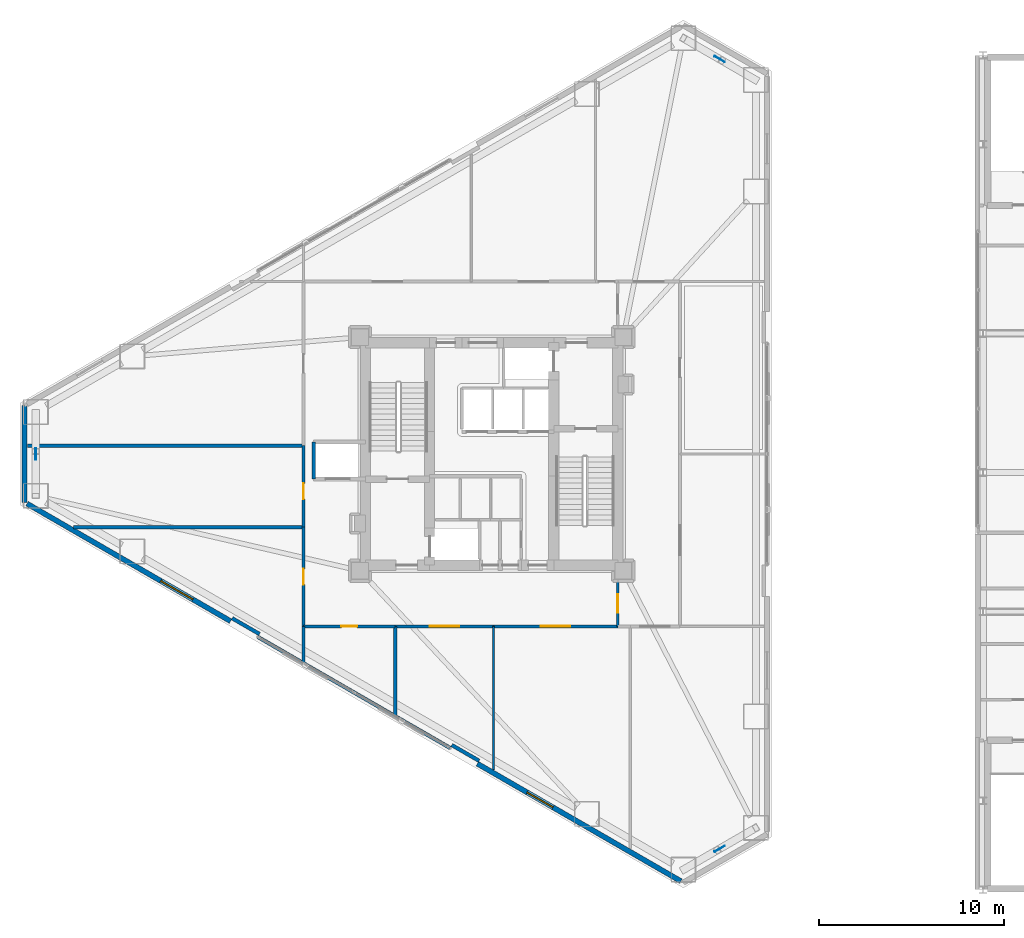
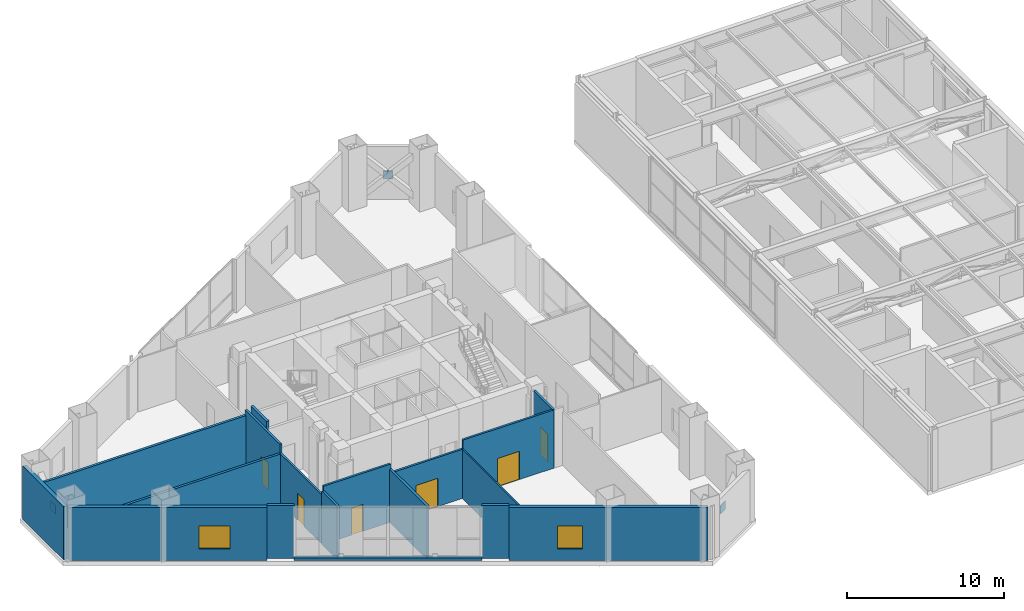
# One storey, part 20 of 27: 18 walls, 6 doors, 3 plates, 2 windows, 8 openings.
"""IFC4 building model written with IfcOpenShell, lengths in metres."""

from ifc_helpers import new_model, si_unit, direction, frame, frame_2d, origin, origin_2d, place, context, subcontext, project, spatial, rectangle, extrude, material, layer, layer_set, type_object, element, fill, save


model = new_model("IFC4")

# Units and contexts
model_context = context("Model", 3, precision=1e-05, world=origin(), true_north=direction((0.0, 1.0)))
body_context = subcontext(model_context, "Body", "Model", "MODEL_VIEW")
ifc_project = project(units=[si_unit("LENGTHUNIT", "METRE"), si_unit("AREAUNIT", "SQUARE_METRE"), si_unit("VOLUMEUNIT", "CUBIC_METRE"), si_unit("PLANEANGLEUNIT", "RADIAN"), si_unit("MASSUNIT", "GRAM", prefix="KILO")], contexts=[model_context])

# Site, building, storey
site_placement = place(None, origin())
site = spatial("IfcSite", under=ifc_project, at=site_placement, CompositionType="ELEMENT")
building_placement = place(site_placement, origin())
building = spatial("IfcBuilding", under=site, at=building_placement, Name="Mersakhor Tower and Convention Hall", CompositionType="ELEMENT")
storey_placement = place(building_placement, frame((0.0, 0.0, 14.39990234375)))
storey = spatial("IfcBuildingStorey", under=building, at=storey_placement, Name="L03", CompositionType="ELEMENT", Elevation=14.39990234375)

# Plates
ifc_material_1 = material(Name="Steel S460", Category="steel")
ifc_layer_1 = layer(ifc_material_1, 0.0400390625)
ifc_layer_set_1 = layer_set([ifc_layer_1], Name="Steel S460")
plate_type = type_object("IfcPlateType", Name="PL-GUSSET-40", PredefinedType="SHEET", material=ifc_layer_set_1)
for number, where, z_axis, x_axis, name in (
    (1, (41.29345703125, 48.04296875, 1.93994140625), (0.0, 0.0, 1.0), (-0.866025403784, 0.5, 0.0), "L03 X-Brace Crossing Gusset Node Plate"),
    (2, (41.29345703125, 5.45703125, 1.93994140625), (0.0, 0.0, 1.0), (0.866025403784, 0.5, 0.0), "L03 X-Brace Crossing Gusset Node Plate"),
    (3, (4.4130859375, 26.75, 1.93994140625), (0.0, 0.0, 1.0), (0.0, -1.0, 0.0), "L03 X-Brace Crossing Gusset Node Plate"),
):
    element("IfcPlate", number, at=place(storey_placement, frame(where, z_axis=z_axis, x_axis=x_axis)), inside=storey, type_object=plate_type, Name=name, PredefinedType="SHEET", context=body_context, shape_type="SweptSolid", body=[
        extrude(rectangle(XDim=0.639892578125, YDim=0.0400390625, at=origin_2d()), origin(), (0.0, 0.0, 1.0), 0.639892578125),
    ])

# Wall
ifc_material_2 = material(Name="Precast concrete C45/55", Category="concrete")
ifc_layer_2 = layer(ifc_material_2, 0.27490234375)
ifc_layer_set_2 = layer_set([ifc_layer_2], Name="Precast concrete C45/55")
wall_type_1 = type_object("IfcWallType", Name="WL-EXT-275", PredefinedType="SOLIDWALL", material=ifc_layer_set_2)
wall_1_placement = place(storey_placement, frame((3.81298828125, 24.144287109375, 0.0), z_axis=(0.0, 0.0, 1.0), x_axis=(0.0, 1.0, 0.0)))
element("IfcWall", 4, at=wall_1_placement, inside=storey, type_object=wall_type_1, Name="L03 Chamfer Braced Spandrel Wall C3", PredefinedType="SOLIDWALL", context=body_context, shape_type="SweptSolid", body=[
    extrude(rectangle(XDim=5.21142578125, YDim=0.27490234375, at=frame_2d((2.605712890625, 0.0))), origin(), (0.0, 0.0, 1.0), 4.14013671875),
])

# Wall, opening, window
wall_2_placement = place(storey_placement, frame((39.20703125, 3.709716796875, 0.0), z_axis=(0.0, 0.0, 1.0), x_axis=(-0.86603192154, 0.499988710747, 0.0)))
wall_2 = element("IfcWall", 5, at=wall_2_placement, inside=storey, type_object=wall_type_1, Name="L03 Exterior Facade Wall F3-B1", PredefinedType="SOLIDWALL", context=body_context, shape_type="SweptSolid", body=[
    extrude(rectangle(XDim=12.673095703125, YDim=0.27490234375, at=frame_2d((6.33642578125, 0.0))), origin(), (0.0, 0.0, 1.0), 4.14013671875),
])
opening_1_placement = place(wall_2_placement, frame((7.972900390625, 0.0, 0.89990234375)))
opening_1 = element("IfcOpeningElement", 6, at=opening_1_placement, cuts=wall_2, Name="Opening W-07", PredefinedType="OPENING", context=body_context, shape_type="SweptSolid", body=[
    extrude(rectangle(XDim=1.60009765625, YDim=1.800048828125, at=frame_2d((0.800048828125, 0.89990234375))), frame((0.0, 0.1474609375, 0.0), z_axis=(0.0, -1.0, 0.0), x_axis=(1.0, 0.0, 0.0)), (0.0, 0.0, 1.0), 0.294921875),
])
ifc_material_3 = material(Name="Dark solar low-E glazed aluminium window", Category="aluminium")
window_type_1 = type_object("IfcWindowType", Name="WN-CLN-160x180", PartitioningType="SINGLE_PANEL", PredefinedType="WINDOW", material=ifc_material_3)
window_1_placement = place(opening_1_placement, origin())
window_1 = element("IfcWindow", 7, at=window_1_placement, inside=storey, type_object=window_type_1, Name="L03 Facade Punched Window F3-B1", OverallHeight=1.800048828125, OverallWidth=1.60009765625, PartitioningType="SINGLE_PANEL", PredefinedType="WINDOW", context=body_context, shape_type="SweptSolid", body=[
    extrude(rectangle(XDim=1.60009765625, YDim=1.800048828125, at=frame_2d((0.800048828125, 0.89990234375))), frame((0.0, 0.030029296875, 0.0), z_axis=(0.0, -1.0, 0.0), x_axis=(1.0, 0.0, 0.0)), (0.0, 0.0, 1.0), 0.06005859375),
])
fill(opening_1, window_1)

wall_3_placement = place(storey_placement, frame((14.918212890625, 17.73291015625, 0.0), z_axis=(0.0, 0.0, 1.0), x_axis=(-0.866027105532, 0.499997052475, 0.0)))
wall_3 = element("IfcWall", 8, at=wall_3_placement, inside=storey, type_object=wall_type_1, Name="L03 Exterior Facade Wall F3-B3", PredefinedType="SOLIDWALL", context=body_context, shape_type="SweptSolid", body=[
    extrude(rectangle(XDim=12.6728515625, YDim=0.27490234375, at=frame_2d((6.33642578125, 0.0))), origin(), (0.0, 0.0, 1.0), 4.14013671875),
])
opening_2_placement = place(wall_3_placement, frame((2.347900390625, 0.0, 0.89990234375)))
opening_2 = element("IfcOpeningElement", 9, at=opening_2_placement, cuts=wall_3, Name="Opening W-08", PredefinedType="OPENING", context=body_context, shape_type="SweptSolid", body=[
    extrude(rectangle(XDim=2.0, YDim=1.800048828125, at=frame_2d((1.0, 0.89990234375))), frame((0.0, 0.1474609375, 0.0), z_axis=(0.0, -1.0, 0.0), x_axis=(1.0, 0.0, 0.0)), (0.0, 0.0, 1.0), 0.294921875),
])
ifc_material_4 = material(Name="Dark solar low-E glazed aluminium window", Category="aluminium")
window_type_2 = type_object("IfcWindowType", Name="WN-CLN-200x180", PartitioningType="SINGLE_PANEL", PredefinedType="WINDOW", material=ifc_material_4)
window_2_placement = place(opening_2_placement, origin())
window_2 = element("IfcWindow", 10, at=window_2_placement, inside=storey, type_object=window_type_2, Name="L03 Facade Punched Window F3-B3", OverallHeight=1.800048828125, OverallWidth=2.0, PartitioningType="SINGLE_PANEL", PredefinedType="WINDOW", context=body_context, shape_type="SweptSolid", body=[
    extrude(rectangle(XDim=2.0, YDim=1.800048828125, at=frame_2d((1.0, 0.89990234375))), frame((0.0, 0.030029296875, 0.0), z_axis=(0.0, -1.0, 0.0), x_axis=(1.0, 0.0, 0.0)), (0.0, 0.0, 1.0), 0.06005859375),
])
fill(opening_2, window_2)

# Walls
ifc_material_5 = material(Name="Precast concrete C40/50", Category="concrete")
ifc_layer_3 = layer(ifc_material_5, 0.199951171875)
ifc_layer_set_3 = layer_set([ifc_layer_3], Name="Precast concrete C40/50")
wall_type_2 = type_object("IfcWallType", Name="WL-PAR-200", PredefinedType="PARAPET", material=ifc_layer_set_3)
wall_4_placement = place(storey_placement, frame((26.759521484375, 10.896240234375, 0.0), z_axis=(0.0, 0.0, 1.0), x_axis=(-0.866027351828, 0.499996625875, 0.0)))
element("IfcWall", 11, at=wall_4_placement, inside=storey, type_object=wall_type_2, Name="L03 Curtain Wall Upstand Sill F3-B2", PredefinedType="PARAPET", context=body_context, shape_type="SweptSolid", body=[
    extrude(rectangle(XDim=11.97314453125, YDim=0.199951171875, at=frame_2d((5.986572265625, 0.0))), origin(), (0.0, 0.0, 1.0), 0.2001953125),
])
for number, where, z_axis, x_axis, name in (
    (12, (28.32177734375, 10.2021484375, 0.0), (0.0, 0.0, 1.0), (-0.86605165483, 0.499954529098, 0.0), "L03 Column Pier Cladding Wall F3-C1"),
    (13, (16.48046875, 17.038818359375, 0.0), (0.0, 0.0, 1.0), (-0.86605165483, 0.499954529098, 0.0), "L03 Column Pier Cladding Wall F3-C2"),
):
    element("IfcWall", number, at=place(storey_placement, frame(where, z_axis=z_axis, x_axis=x_axis)), inside=storey, type_object=wall_type_2, Name=name, PredefinedType="PARAPET", context=body_context, shape_type="SweptSolid", body=[
        extrude(rectangle(XDim=1.699951171875, YDim=0.199951171875, at=frame_2d((0.85009765625, 0.0))), origin(), (0.0, 0.0, 1.0), 4.14013671875),
    ])
ifc_material_6 = material(Name="Moisture-resistant acoustic drywall studwork", Category="other")
ifc_layer_4 = layer(ifc_material_6, 0.175048828125)
ifc_layer_set_4 = layer_set([ifc_layer_4], Name="Moisture-resistant acoustic drywall studwork")
wall_type_3 = type_object("IfcWallType", Name="WL-PLM-175", PredefinedType="PLUMBINGWALL", material=ifc_layer_set_4)
wall_5_placement = place(storey_placement, frame((23.800048828125, 17.449951171875, 0.0), z_axis=(0.0, 0.0, 1.0), x_axis=(0.0, -1.0, 0.0)))
element("IfcWall", 14, at=wall_5_placement, inside=storey, type_object=wall_type_3, Name="L03 Interior Partition Wall P-079", PredefinedType="PLUMBINGWALL", context=body_context, shape_type="SweptSolid", body=[
    extrude(rectangle(XDim=4.798828125, YDim=0.175048828125, at=frame_2d((2.3994140625, 0.0))), origin(), (0.0, 0.0, 1.0), 4.130615234375),
])
wall_6_placement = place(storey_placement, frame((18.85009765625, 15.509033203125, 0.0), z_axis=(0.0, 0.0, 1.0), x_axis=(0.0, 1.0, 0.0)))
element("IfcWall", 15, at=wall_6_placement, inside=storey, type_object=wall_type_3, Name="L03 Interior Partition Wall P-080", PredefinedType="PLUMBINGWALL", context=body_context, shape_type="SweptSolid", body=[
    extrude(rectangle(XDim=1.94091796875, YDim=0.175048828125, at=frame_2d((0.970458984375, 0.0))), origin(), (0.0, 0.0, 1.0), 4.130615234375),
])
wall_7_placement = place(storey_placement, frame((6.43505859375, 22.800048828125, 0.0), z_axis=(0.0, 0.0, 1.0), x_axis=(1.0, 0.0, 0.0)))
element("IfcWall", 16, at=wall_7_placement, inside=storey, type_object=wall_type_3, Name="L03 Interior Partition Wall P-081", PredefinedType="PLUMBINGWALL", context=body_context, shape_type="SweptSolid", body=[
    extrude(rectangle(XDim=12.4150390625, YDim=0.175048828125, at=frame_2d((6.20751953125, 0.0))), origin(), (0.0, 0.0, 1.0), 3.817626953125),
])
wall_8_placement = place(storey_placement, frame((3.974609375, 27.199951171875, 0.0), z_axis=(0.0, 0.0, 1.0), x_axis=(1.0, 0.0, 0.0)))
element("IfcWall", 17, at=wall_8_placement, inside=storey, type_object=wall_type_3, Name="L03 Interior Partition Wall P-082", PredefinedType="PLUMBINGWALL", context=body_context, shape_type="SweptSolid", body=[
    extrude(rectangle(XDim=14.87548828125, YDim=0.175048828125, at=frame_2d((7.437744140625, 0.0))), origin(), (0.0, 0.0, 1.0), 4.130615234375),
])
ifc_material_7 = material(Name="Lightweight gypsum partition", Category="other")
ifc_layer_5 = layer(ifc_material_7, 0.10009765625)
ifc_layer_set_5 = layer_set([ifc_layer_5], Name="Lightweight gypsum partition")
wall_type_4 = type_object("IfcWallType", Name="WL-PRT-100", PredefinedType="PARTITIONING", material=ifc_layer_set_5)
wall_9_placement = place(storey_placement, frame((29.10009765625, 9.7314453125, 0.0), z_axis=(0.0, 0.0, 1.0), x_axis=(0.0, 1.0, 0.0)))
element("IfcWall", 18, at=wall_9_placement, inside=storey, type_object=wall_type_4, Name="L03 Interior Partition Wall P-100", PredefinedType="PARTITIONING", context=body_context, shape_type="SweptSolid", body=[
    extrude(rectangle(XDim=7.718505859375, YDim=0.10009765625, at=frame_2d((3.859375, 0.0))), origin(), (0.0, 0.0, 1.0), 3.817626953125),
])

# Wall, opening, door
ifc_material_8 = material(Name="Fire-rated gypsum board stud partition", Category="other")
ifc_layer_6 = layer(ifc_material_8, 0.14990234375)
ifc_layer_set_6 = layer_set([ifc_layer_6], Name="Fire-rated gypsum board stud partition")
wall_type_5 = type_object("IfcWallType", Name="WL-PRT-150", PredefinedType="PARTITIONING", material=ifc_layer_set_6)
wall_10_placement = place(storey_placement, frame((35.800048828125, 19.89990234375, 0.0), z_axis=(0.0, 0.0, 1.0), x_axis=(0.0, -1.0, 0.0)))
wall_10 = element("IfcWall", 19, at=wall_10_placement, inside=storey, type_object=wall_type_5, Name="L03 Interior Partition Wall P-042", PredefinedType="PARTITIONING", context=body_context, shape_type="SweptSolid", body=[
    extrude(rectangle(XDim=2.449951171875, YDim=0.14990234375, at=frame_2d((1.22509765625, 0.0))), origin(), (0.0, 0.0, 1.0), 4.52001953125),
])
opening_3_placement = place(wall_10_placement, frame((0.72509765625, 0.0, 0.0)))
opening_3 = element("IfcOpeningElement", 20, at=opening_3_placement, cuts=wall_10, Name="Opening FD-01", PredefinedType="OPENING", context=body_context, shape_type="SweptSolid", body=[
    extrude(rectangle(XDim=1.0, YDim=2.14990234375, at=frame_2d((0.5, 1.074951171875))), frame((0.0, 0.0849609375, 0.0), z_axis=(0.0, -1.0, 0.0), x_axis=(1.0, 0.0, 0.0)), (0.0, 0.0, 1.0), 0.169921875),
])
ifc_material_9 = material(Name="Fire-rated hardwood leaf and painted steel frame", Category="steel")
door_type_1 = type_object("IfcDoorType", Name="DR-INT-FLT-100x215", OperationType="NOTDEFINED", PredefinedType="DOOR", material=ifc_material_9)
door_1_placement = place(opening_3_placement, origin())
door_1 = element("IfcDoor", 21, at=door_1_placement, inside=storey, type_object=door_type_1, Name="L03 Ring Corridor Fire Door", OperationType="SINGLE_SWING_LEFT", OverallHeight=2.14990234375, OverallWidth=1.0, PredefinedType="DOOR", context=body_context, shape_type="SweptSolid", body=[
    extrude(rectangle(XDim=1.0, YDim=2.14990234375, at=frame_2d((0.5, 1.074951171875))), frame((0.0, 0.02490234375, 0.0), z_axis=(0.0, -1.0, 0.0), x_axis=(1.0, 0.0, 0.0)), (0.0, 0.0, 1.0), 0.050048828125),
])
fill(opening_3, door_1)

wall_11_placement = place(storey_placement, frame((35.800048828125, 17.449951171875, 0.0), z_axis=(0.0, 0.0, 1.0), x_axis=(-1.0, 0.0, 0.0)))
wall_11 = element("IfcWall", 22, at=wall_11_placement, inside=storey, type_object=wall_type_5, Name="L03 Interior Partition Wall P-043", PredefinedType="PARTITIONING", context=body_context, shape_type="SweptSolid", body=[
    extrude(rectangle(XDim=6.699951171875, YDim=0.14990234375, at=frame_2d((3.35009765625, 0.0))), origin(), (0.0, 0.0, 1.0), 4.52001953125),
])
opening_4_placement = place(wall_11_placement, frame((2.550048828125, 0.0, 0.0)))
opening_4 = element("IfcOpeningElement", 23, at=opening_4_placement, cuts=wall_11, Name="Opening CD-01", PredefinedType="OPENING", context=body_context, shape_type="SweptSolid", body=[
    extrude(rectangle(XDim=1.60009765625, YDim=2.199951171875, at=frame_2d((0.800048828125, 1.10009765625))), frame((0.0, 0.0849609375, 0.0), z_axis=(0.0, -1.0, 0.0), x_axis=(1.0, 0.0, 0.0)), (0.0, 0.0, 1.0), 0.169921875),
])
ifc_material_10 = material(Name="Fire-rated hardwood leaf and painted steel frame", Category="steel")
door_type_2 = type_object("IfcDoorType", Name="DR-INT-COR-160x220", OperationType="NOTDEFINED", PredefinedType="DOOR", material=ifc_material_10)
door_2_placement = place(opening_4_placement, origin())
door_2 = element("IfcDoor", 24, at=door_2_placement, inside=storey, type_object=door_type_2, Name="L03 L03 Primary Healthcare Clinical Corridor to Phlebotomy and Triage Room Door", OperationType="DOUBLE_DOOR_SINGLE_SWING", OverallHeight=2.199951171875, OverallWidth=1.60009765625, PredefinedType="DOOR", context=body_context, shape_type="SweptSolid", body=[
    extrude(rectangle(XDim=1.60009765625, YDim=2.199951171875, at=frame_2d((0.800048828125, 1.10009765625))), frame((0.0, 0.02490234375, 0.0), z_axis=(0.0, -1.0, 0.0), x_axis=(1.0, 0.0, 0.0)), (0.0, 0.0, 1.0), 0.050048828125),
])
fill(opening_4, door_2)

wall_12_placement = place(storey_placement, frame((29.10009765625, 17.449951171875, 0.0), z_axis=(0.0, 0.0, 1.0), x_axis=(-1.0, 0.0, 0.0)))
wall_12 = element("IfcWall", 25, at=wall_12_placement, inside=storey, type_object=wall_type_5, Name="L03 Interior Partition Wall P-044", PredefinedType="PARTITIONING", context=body_context, shape_type="SweptSolid", body=[
    extrude(rectangle(XDim=5.300048828125, YDim=0.14990234375, at=frame_2d((2.64990234375, 0.0))), origin(), (0.0, 0.0, 1.0), 3.817626953125),
])
opening_5_placement = place(wall_12_placement, frame((1.85009765625, 0.0, 0.0)))
opening_5 = element("IfcOpeningElement", 26, at=opening_5_placement, cuts=wall_12, Name="Opening CD-01", PredefinedType="OPENING", context=body_context, shape_type="SweptSolid", body=[
    extrude(rectangle(XDim=1.60009765625, YDim=2.199951171875, at=frame_2d((0.800048828125, 1.10009765625))), frame((0.0, 0.0849609375, 0.0), z_axis=(0.0, -1.0, 0.0), x_axis=(1.0, 0.0, 0.0)), (0.0, 0.0, 1.0), 0.169921875),
])
door_3_placement = place(opening_5_placement, origin())
door_3 = element("IfcDoor", 27, at=door_3_placement, inside=storey, type_object=door_type_2, Name="L03 L03 Primary Healthcare Clinical Corridor to Vaccination and Nursing Room Door", OperationType="DOUBLE_DOOR_SINGLE_SWING", OverallHeight=2.199951171875, OverallWidth=1.60009765625, PredefinedType="DOOR", context=body_context, shape_type="SweptSolid", body=[
    extrude(rectangle(XDim=1.60009765625, YDim=2.199951171875, at=frame_2d((0.800048828125, 1.10009765625))), frame((0.0, 0.02490234375, 0.0), z_axis=(0.0, -1.0, 0.0), x_axis=(1.0, 0.0, 0.0)), (0.0, 0.0, 1.0), 0.050048828125),
])
fill(opening_5, door_3)

wall_13_placement = place(storey_placement, frame((23.800048828125, 17.449951171875, 0.0), z_axis=(0.0, 0.0, 1.0), x_axis=(-1.0, 0.0, 0.0)))
wall_13 = element("IfcWall", 28, at=wall_13_placement, inside=storey, type_object=wall_type_5, Name="L03 Interior Partition Wall P-045", PredefinedType="PARTITIONING", context=body_context, shape_type="SweptSolid", body=[
    extrude(rectangle(XDim=4.949951171875, YDim=0.14990234375, at=frame_2d((2.47509765625, 0.0))), origin(), (0.0, 0.0, 1.0), 4.52001953125),
])
opening_6_placement = place(wall_13_placement, frame((2.050048828125, 0.0, 0.0)))
opening_6 = element("IfcOpeningElement", 29, at=opening_6_placement, cuts=wall_13, Name="Opening SVD-01", PredefinedType="OPENING", context=body_context, shape_type="SweptSolid", body=[
    extrude(rectangle(XDim=0.85009765625, YDim=2.10009765625, at=frame_2d((0.425048828125, 1.050048828125))), frame((0.0, 0.0849609375, 0.0), z_axis=(0.0, -1.0, 0.0), x_axis=(1.0, 0.0, 0.0)), (0.0, 0.0, 1.0), 0.169921875),
])
ifc_material_11 = material(Name="Fire-rated hardwood leaf and painted steel frame", Category="steel")
door_type_3 = type_object("IfcDoorType", Name="DR-INT-SVC-085x210", OperationType="NOTDEFINED", PredefinedType="DOOR", material=ifc_material_11)
door_4_placement = place(opening_6_placement, origin())
door_4 = element("IfcDoor", 30, at=door_4_placement, inside=storey, type_object=door_type_3, Name="L03 L03 Primary Healthcare Clinical Corridor to Clinic Public Male Toilets Door", OperationType="SINGLE_SWING_LEFT", OverallHeight=2.10009765625, OverallWidth=0.85009765625, PredefinedType="DOOR", context=body_context, shape_type="SweptSolid", body=[
    extrude(rectangle(XDim=0.85009765625, YDim=2.10009765625, at=frame_2d((0.425048828125, 1.050048828125))), frame((0.0, 0.02490234375, 0.0), z_axis=(0.0, -1.0, 0.0), x_axis=(1.0, 0.0, 0.0)), (0.0, 0.0, 1.0), 0.050048828125),
])
fill(opening_6, door_4)

wall_14_placement = place(storey_placement, frame((18.85009765625, 17.449951171875, 0.0), z_axis=(0.0, 0.0, 1.0), x_axis=(0.0, 1.0, 0.0)))
wall_14 = element("IfcWall", 31, at=wall_14_placement, inside=storey, type_object=wall_type_5, Name="L03 Interior Partition Wall P-046", PredefinedType="PARTITIONING", context=body_context, shape_type="SweptSolid", body=[
    extrude(rectangle(XDim=5.35009765625, YDim=0.14990234375, at=frame_2d((2.675048828125, 0.0))), origin(), (0.0, 0.0, 1.0), 3.817626953125),
])
opening_7_placement = place(wall_14_placement, frame((2.25, 0.0, 0.0)))
opening_7 = element("IfcOpeningElement", 32, at=opening_7_placement, cuts=wall_14, Name="Opening SVD-01", PredefinedType="OPENING", context=body_context, shape_type="SweptSolid", body=[
    extrude(rectangle(XDim=0.85009765625, YDim=2.10009765625, at=frame_2d((0.425048828125, 1.050048828125))), frame((0.0, 0.0849609375, 0.0), z_axis=(0.0, -1.0, 0.0), x_axis=(1.0, 0.0, 0.0)), (0.0, 0.0, 1.0), 0.169921875),
])
door_5_placement = place(opening_7_placement, origin())
door_5 = element("IfcDoor", 33, at=door_5_placement, inside=storey, type_object=door_type_3, Name="L03 L03 Primary Healthcare Clinical Corridor to Clinic Public Female Toilets Door", OperationType="SINGLE_SWING_RIGHT", OverallHeight=2.10009765625, OverallWidth=0.85009765625, PredefinedType="DOOR", context=body_context, shape_type="SweptSolid", body=[
    extrude(rectangle(XDim=0.85009765625, YDim=2.10009765625, at=frame_2d((0.425048828125, 1.050048828125))), frame((0.0, 0.02490234375, 0.0), z_axis=(0.0, -1.0, 0.0), x_axis=(1.0, 0.0, 0.0)), (0.0, 0.0, 1.0), 0.050048828125),
])
fill(opening_7, door_5)

wall_15_placement = place(storey_placement, frame((18.85009765625, 22.800048828125, 0.0), z_axis=(0.0, 0.0, 1.0), x_axis=(0.0, 1.0, 0.0)))
wall_15 = element("IfcWall", 34, at=wall_15_placement, inside=storey, type_object=wall_type_5, Name="L03 Interior Partition Wall P-047", PredefinedType="PARTITIONING", context=body_context, shape_type="SweptSolid", body=[
    extrude(rectangle(XDim=4.39990234375, YDim=0.14990234375, at=frame_2d((2.199951171875, 0.0))), origin(), (0.0, 0.0, 1.0), 4.52001953125),
])
opening_8_placement = place(wall_15_placement, frame((1.520751953125, 0.0, 0.0)))
opening_8 = element("IfcOpeningElement", 35, at=opening_8_placement, cuts=wall_15, Name="Opening SVD-01", PredefinedType="OPENING", context=body_context, shape_type="SweptSolid", body=[
    extrude(rectangle(XDim=0.85009765625, YDim=2.10009765625, at=frame_2d((0.425048828125, 1.050048828125))), frame((0.0, 0.0849609375, 0.0), z_axis=(0.0, -1.0, 0.0), x_axis=(1.0, 0.0, 0.0)), (0.0, 0.0, 1.0), 0.169921875),
])
door_6_placement = place(opening_8_placement, origin())
door_6 = element("IfcDoor", 36, at=door_6_placement, inside=storey, type_object=door_type_3, Name="L03 L03 Primary Healthcare Clinical Corridor to Clinic Accessible Patient Toilet WC Door", OperationType="SINGLE_SWING_LEFT", OverallHeight=2.10009765625, OverallWidth=0.85009765625, PredefinedType="DOOR", context=body_context, shape_type="SweptSolid", body=[
    extrude(rectangle(XDim=0.85009765625, YDim=2.10009765625, at=frame_2d((0.425048828125, 1.050048828125))), frame((0.0, 0.02490234375, 0.0), z_axis=(0.0, -1.0, 0.0), x_axis=(1.0, 0.0, 0.0)), (0.0, 0.0, 1.0), 0.050048828125),
])
fill(opening_8, door_6)

# Wall
ifc_material_12 = material(Name="Acoustic concrete blockwork and gypsum board", Category="masonry")
ifc_layer_7 = layer(ifc_material_12, 0.199951171875)
ifc_layer_set_7 = layer_set([ifc_layer_7], Name="Acoustic concrete blockwork and gypsum board")
wall_type_6 = type_object("IfcWallType", Name="WL-PRT-200", PredefinedType="PARTITIONING", material=ifc_layer_set_7)
wall_16_placement = place(storey_placement, frame((19.39990234375, 25.39990234375, 0.0), z_axis=(0.0, 0.0, 1.0), x_axis=(0.0, 1.0, 0.0)))
element("IfcWall", 37, at=wall_16_placement, inside=storey, type_object=wall_type_6, Name="L03 Clinic Lift West Wall", PredefinedType="PARTITIONING", context=body_context, shape_type="SweptSolid", body=[
    extrude(rectangle(XDim=2.0, YDim=0.199951171875, at=frame_2d((1.0, 0.0))), origin(), (0.0, 0.0, 1.0), 4.52001953125),
])

save(model, "model.ifc")
